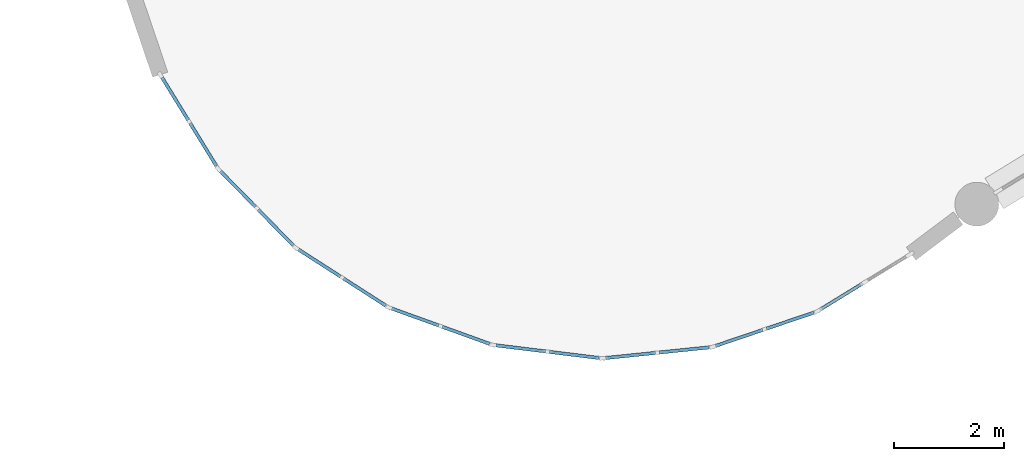
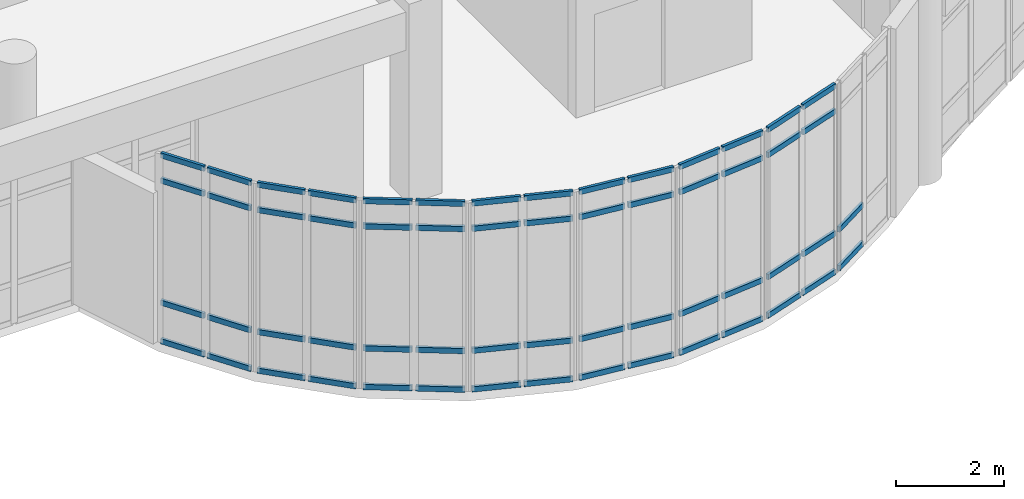
# One storey, part 28 of 57: 58 members, 8 elements without a shape of their own.
"""IFC4 building model written with IfcOpenShell, lengths in metres."""

from ifc_helpers import new_model, si_unit, direction, frame, origin, origin_2d, place, context, subcontext, project, spatial, rectangle, extrude, material, layer, layer_set, material_profile, profile_set, type_object, element, aggregate, save


model = new_model("IFC4")

# Units and contexts
model_context = context("Model", 3, precision=1e-05, world=origin(), true_north=direction((0.0, 1.0)))
body_context = subcontext(model_context, "Body", "Model", "MODEL_VIEW")
ifc_project = project(units=[si_unit("LENGTHUNIT", "METRE"), si_unit("AREAUNIT", "SQUARE_METRE"), si_unit("VOLUMEUNIT", "CUBIC_METRE"), si_unit("PLANEANGLEUNIT", "RADIAN"), si_unit("MASSUNIT", "GRAM", prefix="KILO")], contexts=[model_context])

# Site, building, storey
site_placement = place(None, origin())
site = spatial("IfcSite", under=ifc_project, at=site_placement, CompositionType="ELEMENT")
building_placement = place(site_placement, origin())
building = spatial("IfcBuilding", under=site, at=building_placement, Name="Miralva Faculty of Natural Sciences", CompositionType="ELEMENT")
storey_placement = place(building_placement, frame((0.0, 0.0, 15.0)))
storey = spatial("IfcBuildingStorey", under=building, at=storey_placement, Name="L03", CompositionType="ELEMENT", Elevation=15.0)

# Curtain wall, members
ifc_material_1 = material(Name="Laminated solar-control glass", Category="glass")
ifc_layer = layer(ifc_material_1, 0.179931640625, Name="CW-RND-L03")
ifc_layer_set = layer_set([ifc_layer], Name="Laminated solar-control glass")
curtain_wall_type = type_object("IfcCurtainWallType", Name="CW-RND-L03", PredefinedType="USERDEFINED", material=ifc_layer_set)
curtain_wall_1_placement = place(storey_placement, origin())
curtain_wall_1 = element("IfcCurtainWall", 1, at=curtain_wall_1_placement, inside=storey, type_object=curtain_wall_type, Name="Curtain wall CW-06 L03-141", ObjectType="UNITISED CURTAIN WALL", PredefinedType="USERDEFINED")
ifc_material_2 = material(Name="Anodised aluminium", Category="aluminium")
ifc_material_profile = material_profile(ifc_material_2, rectangle(XDim=0.06005859375, YDim=0.1201171875, at=origin_2d()), Name="TRANSOM 60x120")
ifc_profile_set = profile_set([ifc_material_profile], Name="Anodised aluminium")
member_type = type_object("IfcMemberType", Name="CW-T02", PredefinedType="USERDEFINED", material=ifc_profile_set)
member_1_placement = place(storey_placement, frame((61.864990234375, 11.86328125, 0.030029296875), z_axis=(0.852016327326, 0.52351521274, 0.0), x_axis=(-0.52351521274, 0.852016327326, 0.0)))
member_1 = element("IfcMember", 2, at=member_1_placement, type_object=member_type, Name="CW-06 transom 1.1", ObjectType="TRANSOM", PredefinedType="USERDEFINED", context=body_context, shape_type="SweptSolid", body=[
    extrude(rectangle(XDim=0.06005859375, YDim=0.1201171875, at=origin_2d()), origin(), (0.0, 0.0, 1.0), 0.91259765625),
])
member_2_placement = place(storey_placement, frame((61.864990234375, 11.86328125, 0.89990234375), z_axis=(0.852016327326, 0.52351521274, 0.0), x_axis=(-0.52351521274, 0.852016327326, 0.0)))
member_2 = element("IfcMember", 3, at=member_2_placement, type_object=member_type, Name="CW-06 transom 1.2", ObjectType="TRANSOM", PredefinedType="USERDEFINED", context=body_context, shape_type="SweptSolid", body=[
    extrude(rectangle(XDim=0.06005859375, YDim=0.1201171875, at=origin_2d()), origin(), (0.0, 0.0, 1.0), 0.91259765625),
])
aggregate(curtain_wall_1, [member_1, member_2])

curtain_wall_2_placement = place(storey_placement, origin())
curtain_wall_2 = element("IfcCurtainWall", 4, at=curtain_wall_2_placement, inside=storey, type_object=curtain_wall_type, Name="Curtain wall CW-06 L03-142", ObjectType="UNITISED CURTAIN WALL", PredefinedType="USERDEFINED")
member_3_placement = place(storey_placement, frame((59.962158203125, 11.20361328125, 0.030029296875), z_axis=(0.947174722358, 0.32071801528, 0.0), x_axis=(-0.32071801528, 0.947174722358, 0.0)))
member_3 = element("IfcMember", 5, at=member_3_placement, type_object=member_type, Name="CW-06 transom 1.1", ObjectType="TRANSOM", PredefinedType="USERDEFINED", context=body_context, shape_type="SweptSolid", body=[
    extrude(rectangle(XDim=0.06005859375, YDim=0.1201171875, at=origin_2d()), origin(), (0.0, 0.0, 1.0), 0.91259765625),
])
member_4_placement = place(storey_placement, frame((59.962158203125, 11.20361328125, 0.89990234375), z_axis=(0.947174722358, 0.32071801528, 0.0), x_axis=(-0.32071801528, 0.947174722358, 0.0)))
member_4 = element("IfcMember", 6, at=member_4_placement, type_object=member_type, Name="CW-06 transom 1.2", ObjectType="TRANSOM", PredefinedType="USERDEFINED", context=body_context, shape_type="SweptSolid", body=[
    extrude(rectangle(XDim=0.06005859375, YDim=0.1201171875, at=origin_2d()), origin(), (0.0, 0.0, 1.0), 0.91259765625),
])
member_5_placement = place(storey_placement, frame((59.962158203125, 11.20361328125, 3.64990234375), z_axis=(0.947174722358, 0.32071801528, 0.0), x_axis=(-0.32071801528, 0.947174722358, 0.0)))
member_5 = element("IfcMember", 7, at=member_5_placement, type_object=member_type, Name="CW-06 transom 1.3", ObjectType="TRANSOM", PredefinedType="USERDEFINED", context=body_context, shape_type="SweptSolid", body=[
    extrude(rectangle(XDim=0.06005859375, YDim=0.1201171875, at=origin_2d()), origin(), (0.0, 0.0, 1.0), 0.91259765625),
])
member_6_placement = place(storey_placement, frame((59.962158203125, 11.20361328125, 4.219970703125), z_axis=(0.947174722358, 0.32071801528, 0.0), x_axis=(-0.32071801528, 0.947174722358, 0.0)))
member_6 = element("IfcMember", 8, at=member_6_placement, type_object=member_type, Name="CW-06 transom 1.4", ObjectType="TRANSOM", PredefinedType="USERDEFINED", context=body_context, shape_type="SweptSolid", body=[
    extrude(rectangle(XDim=0.06005859375, YDim=0.1201171875, at=origin_2d()), origin(), (0.0, 0.0, 1.0), 0.91259765625),
])
member_7_placement = place(storey_placement, frame((60.88818359375, 11.517333984375, 0.030029296875), z_axis=(0.947174722358, 0.32071801528, 0.0), x_axis=(-0.32071801528, 0.947174722358, 0.0)))
member_7 = element("IfcMember", 9, at=member_7_placement, type_object=member_type, Name="CW-06 transom 2.1", ObjectType="TRANSOM", PredefinedType="USERDEFINED", context=body_context, shape_type="SweptSolid", body=[
    extrude(rectangle(XDim=0.06005859375, YDim=0.1201171875, at=origin_2d()), origin(), (0.0, 0.0, 1.0), 0.91259765625),
])
member_8_placement = place(storey_placement, frame((60.88818359375, 11.517333984375, 0.89990234375), z_axis=(0.947174722358, 0.32071801528, 0.0), x_axis=(-0.32071801528, 0.947174722358, 0.0)))
member_8 = element("IfcMember", 10, at=member_8_placement, type_object=member_type, Name="CW-06 transom 2.2", ObjectType="TRANSOM", PredefinedType="USERDEFINED", context=body_context, shape_type="SweptSolid", body=[
    extrude(rectangle(XDim=0.06005859375, YDim=0.1201171875, at=origin_2d()), origin(), (0.0, 0.0, 1.0), 0.91259765625),
])
member_9_placement = place(storey_placement, frame((60.88818359375, 11.517333984375, 3.64990234375), z_axis=(0.947174722358, 0.32071801528, 0.0), x_axis=(-0.32071801528, 0.947174722358, 0.0)))
member_9 = element("IfcMember", 11, at=member_9_placement, type_object=member_type, Name="CW-06 transom 2.3", ObjectType="TRANSOM", PredefinedType="USERDEFINED", context=body_context, shape_type="SweptSolid", body=[
    extrude(rectangle(XDim=0.06005859375, YDim=0.1201171875, at=origin_2d()), origin(), (0.0, 0.0, 1.0), 0.91259765625),
])
member_10_placement = place(storey_placement, frame((60.88818359375, 11.517333984375, 4.219970703125), z_axis=(0.947174722358, 0.32071801528, 0.0), x_axis=(-0.32071801528, 0.947174722358, 0.0)))
member_10 = element("IfcMember", 12, at=member_10_placement, type_object=member_type, Name="CW-06 transom 2.4", ObjectType="TRANSOM", PredefinedType="USERDEFINED", context=body_context, shape_type="SweptSolid", body=[
    extrude(rectangle(XDim=0.06005859375, YDim=0.1201171875, at=origin_2d()), origin(), (0.0, 0.0, 1.0), 0.91259765625),
])
aggregate(curtain_wall_2, [member_3, member_4, member_5, member_6, member_7, member_8, member_9, member_10])

curtain_wall_3_placement = place(storey_placement, origin())
curtain_wall_3 = element("IfcCurtainWall", 13, at=curtain_wall_3_placement, inside=storey, type_object=curtain_wall_type, Name="Curtain wall CW-06 L03-143", ObjectType="UNITISED CURTAIN WALL", PredefinedType="USERDEFINED")
member_11_placement = place(storey_placement, frame((57.96044921875, 10.983642578125, 0.030029296875), z_axis=(0.994766112877, 0.102178180995, 0.0), x_axis=(-0.102178180995, 0.994766112877, 0.0)))
member_11 = element("IfcMember", 14, at=member_11_placement, type_object=member_type, Name="CW-06 transom 1.1", ObjectType="TRANSOM", PredefinedType="USERDEFINED", context=body_context, shape_type="SweptSolid", body=[
    extrude(rectangle(XDim=0.06005859375, YDim=0.1201171875, at=origin_2d()), origin(), (0.0, 0.0, 1.0), 0.912841796875),
])
member_12_placement = place(storey_placement, frame((57.96044921875, 10.983642578125, 0.89990234375), z_axis=(0.994766112877, 0.102178180995, 0.0), x_axis=(-0.102178180995, 0.994766112877, 0.0)))
member_12 = element("IfcMember", 15, at=member_12_placement, type_object=member_type, Name="CW-06 transom 1.2", ObjectType="TRANSOM", PredefinedType="USERDEFINED", context=body_context, shape_type="SweptSolid", body=[
    extrude(rectangle(XDim=0.06005859375, YDim=0.1201171875, at=origin_2d()), origin(), (0.0, 0.0, 1.0), 0.912841796875),
])
member_13_placement = place(storey_placement, frame((57.96044921875, 10.983642578125, 3.64990234375), z_axis=(0.994766112877, 0.102178180995, 0.0), x_axis=(-0.102178180995, 0.994766112877, 0.0)))
member_13 = element("IfcMember", 16, at=member_13_placement, type_object=member_type, Name="CW-06 transom 1.3", ObjectType="TRANSOM", PredefinedType="USERDEFINED", context=body_context, shape_type="SweptSolid", body=[
    extrude(rectangle(XDim=0.06005859375, YDim=0.1201171875, at=origin_2d()), origin(), (0.0, 0.0, 1.0), 0.912841796875),
])
member_14_placement = place(storey_placement, frame((57.96044921875, 10.983642578125, 4.219970703125), z_axis=(0.994766112877, 0.102178180995, 0.0), x_axis=(-0.102178180995, 0.994766112877, 0.0)))
member_14 = element("IfcMember", 17, at=member_14_placement, type_object=member_type, Name="CW-06 transom 1.4", ObjectType="TRANSOM", PredefinedType="USERDEFINED", context=body_context, shape_type="SweptSolid", body=[
    extrude(rectangle(XDim=0.06005859375, YDim=0.1201171875, at=origin_2d()), origin(), (0.0, 0.0, 1.0), 0.912841796875),
])
member_15_placement = place(storey_placement, frame((58.93310546875, 11.08349609375, 0.030029296875), z_axis=(0.994793266196, 0.101913480619, 0.0), x_axis=(-0.101913480619, 0.994793266196, 0.0)))
member_15 = element("IfcMember", 18, at=member_15_placement, type_object=member_type, Name="CW-06 transom 2.1", ObjectType="TRANSOM", PredefinedType="USERDEFINED", context=body_context, shape_type="SweptSolid", body=[
    extrude(rectangle(XDim=0.06005859375, YDim=0.1201171875, at=origin_2d()), origin(), (0.0, 0.0, 1.0), 0.91259765625),
])
member_16_placement = place(storey_placement, frame((58.93310546875, 11.08349609375, 0.89990234375), z_axis=(0.994793266196, 0.101913480619, 0.0), x_axis=(-0.101913480619, 0.994793266196, 0.0)))
member_16 = element("IfcMember", 19, at=member_16_placement, type_object=member_type, Name="CW-06 transom 2.2", ObjectType="TRANSOM", PredefinedType="USERDEFINED", context=body_context, shape_type="SweptSolid", body=[
    extrude(rectangle(XDim=0.06005859375, YDim=0.1201171875, at=origin_2d()), origin(), (0.0, 0.0, 1.0), 0.91259765625),
])
member_17_placement = place(storey_placement, frame((58.93310546875, 11.08349609375, 3.64990234375), z_axis=(0.994793266196, 0.101913480619, 0.0), x_axis=(-0.101913480619, 0.994793266196, 0.0)))
member_17 = element("IfcMember", 20, at=member_17_placement, type_object=member_type, Name="CW-06 transom 2.3", ObjectType="TRANSOM", PredefinedType="USERDEFINED", context=body_context, shape_type="SweptSolid", body=[
    extrude(rectangle(XDim=0.06005859375, YDim=0.1201171875, at=origin_2d()), origin(), (0.0, 0.0, 1.0), 0.91259765625),
])
member_18_placement = place(storey_placement, frame((58.93310546875, 11.08349609375, 4.219970703125), z_axis=(0.994793266196, 0.101913480619, 0.0), x_axis=(-0.101913480619, 0.994793266196, 0.0)))
member_18 = element("IfcMember", 21, at=member_18_placement, type_object=member_type, Name="CW-06 transom 2.4", ObjectType="TRANSOM", PredefinedType="USERDEFINED", context=body_context, shape_type="SweptSolid", body=[
    extrude(rectangle(XDim=0.06005859375, YDim=0.1201171875, at=origin_2d()), origin(), (0.0, 0.0, 1.0), 0.91259765625),
])
aggregate(curtain_wall_3, [member_11, member_12, member_13, member_14, member_15, member_16, member_17, member_18])

curtain_wall_4_placement = place(storey_placement, origin())
curtain_wall_4 = element("IfcCurtainWall", 22, at=curtain_wall_4_placement, inside=storey, type_object=curtain_wall_type, Name="Curtain wall CW-06 L03-144", ObjectType="UNITISED CURTAIN WALL", PredefinedType="USERDEFINED")
member_19_placement = place(storey_placement, frame((55.9599609375, 11.214599609375, 0.030029296875), z_axis=(0.99256727955, -0.121697146913, 0.0), x_axis=(0.121697146913, 0.99256727955, 0.0)))
member_19 = element("IfcMember", 23, at=member_19_placement, type_object=member_type, Name="CW-06 transom 1.1", ObjectType="TRANSOM", PredefinedType="USERDEFINED", context=body_context, shape_type="SweptSolid", body=[
    extrude(rectangle(XDim=0.06005859375, YDim=0.1201171875, at=origin_2d()), origin(), (0.0, 0.0, 1.0), 0.912841796875),
])
member_20_placement = place(storey_placement, frame((55.9599609375, 11.214599609375, 0.89990234375), z_axis=(0.99256727955, -0.121697146913, 0.0), x_axis=(0.121697146913, 0.99256727955, 0.0)))
member_20 = element("IfcMember", 24, at=member_20_placement, type_object=member_type, Name="CW-06 transom 1.2", ObjectType="TRANSOM", PredefinedType="USERDEFINED", context=body_context, shape_type="SweptSolid", body=[
    extrude(rectangle(XDim=0.06005859375, YDim=0.1201171875, at=origin_2d()), origin(), (0.0, 0.0, 1.0), 0.912841796875),
])
member_21_placement = place(storey_placement, frame((55.9599609375, 11.214599609375, 3.64990234375), z_axis=(0.99256727955, -0.121697146913, 0.0), x_axis=(0.121697146913, 0.99256727955, 0.0)))
member_21 = element("IfcMember", 25, at=member_21_placement, type_object=member_type, Name="CW-06 transom 1.3", ObjectType="TRANSOM", PredefinedType="USERDEFINED", context=body_context, shape_type="SweptSolid", body=[
    extrude(rectangle(XDim=0.06005859375, YDim=0.1201171875, at=origin_2d()), origin(), (0.0, 0.0, 1.0), 0.912841796875),
])
member_22_placement = place(storey_placement, frame((55.9599609375, 11.214599609375, 4.219970703125), z_axis=(0.99256727955, -0.121697146913, 0.0), x_axis=(0.121697146913, 0.99256727955, 0.0)))
member_22 = element("IfcMember", 26, at=member_22_placement, type_object=member_type, Name="CW-06 transom 1.4", ObjectType="TRANSOM", PredefinedType="USERDEFINED", context=body_context, shape_type="SweptSolid", body=[
    extrude(rectangle(XDim=0.06005859375, YDim=0.1201171875, at=origin_2d()), origin(), (0.0, 0.0, 1.0), 0.912841796875),
])
member_23_placement = place(storey_placement, frame((56.930419921875, 11.095458984375, 0.030029296875), z_axis=(0.992563316744, -0.121729463374, 0.0), x_axis=(0.121729463374, 0.992563316744, 0.0)))
member_23 = element("IfcMember", 27, at=member_23_placement, type_object=member_type, Name="CW-06 transom 2.1", ObjectType="TRANSOM", PredefinedType="USERDEFINED", context=body_context, shape_type="SweptSolid", body=[
    extrude(rectangle(XDim=0.06005859375, YDim=0.1201171875, at=origin_2d()), origin(), (0.0, 0.0, 1.0), 0.91259765625),
])
member_24_placement = place(storey_placement, frame((56.930419921875, 11.095458984375, 0.89990234375), z_axis=(0.992563316744, -0.121729463374, 0.0), x_axis=(0.121729463374, 0.992563316744, 0.0)))
member_24 = element("IfcMember", 28, at=member_24_placement, type_object=member_type, Name="CW-06 transom 2.2", ObjectType="TRANSOM", PredefinedType="USERDEFINED", context=body_context, shape_type="SweptSolid", body=[
    extrude(rectangle(XDim=0.06005859375, YDim=0.1201171875, at=origin_2d()), origin(), (0.0, 0.0, 1.0), 0.91259765625),
])
member_25_placement = place(storey_placement, frame((56.930419921875, 11.095458984375, 3.64990234375), z_axis=(0.992563316744, -0.121729463374, 0.0), x_axis=(0.121729463374, 0.992563316744, 0.0)))
member_25 = element("IfcMember", 29, at=member_25_placement, type_object=member_type, Name="CW-06 transom 2.3", ObjectType="TRANSOM", PredefinedType="USERDEFINED", context=body_context, shape_type="SweptSolid", body=[
    extrude(rectangle(XDim=0.06005859375, YDim=0.1201171875, at=origin_2d()), origin(), (0.0, 0.0, 1.0), 0.91259765625),
])
member_26_placement = place(storey_placement, frame((56.930419921875, 11.095458984375, 4.219970703125), z_axis=(0.992563316744, -0.121729463374, 0.0), x_axis=(0.121729463374, 0.992563316744, 0.0)))
member_26 = element("IfcMember", 30, at=member_26_placement, type_object=member_type, Name="CW-06 transom 2.4", ObjectType="TRANSOM", PredefinedType="USERDEFINED", context=body_context, shape_type="SweptSolid", body=[
    extrude(rectangle(XDim=0.06005859375, YDim=0.1201171875, at=origin_2d()), origin(), (0.0, 0.0, 1.0), 0.91259765625),
])
aggregate(curtain_wall_4, [member_19, member_20, member_21, member_22, member_23, member_24, member_25, member_26])

curtain_wall_5_placement = place(storey_placement, origin())
curtain_wall_5 = element("IfcCurtainWall", 31, at=curtain_wall_5_placement, inside=storey, type_object=curtain_wall_type, Name="Curtain wall CW-06 L03-145", ObjectType="UNITISED CURTAIN WALL", PredefinedType="USERDEFINED")
member_27_placement = place(storey_placement, frame((54.06103515625, 11.885009765625, 0.030029296875), z_axis=(0.94061086064, -0.339486684344, 0.0), x_axis=(0.339486684344, 0.94061086064, 0.0)))
member_27 = element("IfcMember", 32, at=member_27_placement, type_object=member_type, Name="CW-06 transom 1.1", ObjectType="TRANSOM", PredefinedType="USERDEFINED", context=body_context, shape_type="SweptSolid", body=[
    extrude(rectangle(XDim=0.06005859375, YDim=0.1201171875, at=origin_2d()), origin(), (0.0, 0.0, 1.0), 0.91259765625),
])
member_28_placement = place(storey_placement, frame((54.06103515625, 11.885009765625, 0.89990234375), z_axis=(0.94061086064, -0.339486684344, 0.0), x_axis=(0.339486684344, 0.94061086064, 0.0)))
member_28 = element("IfcMember", 33, at=member_28_placement, type_object=member_type, Name="CW-06 transom 1.2", ObjectType="TRANSOM", PredefinedType="USERDEFINED", context=body_context, shape_type="SweptSolid", body=[
    extrude(rectangle(XDim=0.06005859375, YDim=0.1201171875, at=origin_2d()), origin(), (0.0, 0.0, 1.0), 0.91259765625),
])
member_29_placement = place(storey_placement, frame((54.06103515625, 11.885009765625, 3.64990234375), z_axis=(0.94061086064, -0.339486684344, 0.0), x_axis=(0.339486684344, 0.94061086064, 0.0)))
member_29 = element("IfcMember", 34, at=member_29_placement, type_object=member_type, Name="CW-06 transom 1.3", ObjectType="TRANSOM", PredefinedType="USERDEFINED", context=body_context, shape_type="SweptSolid", body=[
    extrude(rectangle(XDim=0.06005859375, YDim=0.1201171875, at=origin_2d()), origin(), (0.0, 0.0, 1.0), 0.91259765625),
])
member_30_placement = place(storey_placement, frame((54.06103515625, 11.885009765625, 4.219970703125), z_axis=(0.94061086064, -0.339486684344, 0.0), x_axis=(0.339486684344, 0.94061086064, 0.0)))
member_30 = element("IfcMember", 35, at=member_30_placement, type_object=member_type, Name="CW-06 transom 1.4", ObjectType="TRANSOM", PredefinedType="USERDEFINED", context=body_context, shape_type="SweptSolid", body=[
    extrude(rectangle(XDim=0.06005859375, YDim=0.1201171875, at=origin_2d()), origin(), (0.0, 0.0, 1.0), 0.91259765625),
])
member_31_placement = place(storey_placement, frame((54.980712890625, 11.552978515625, 0.030029296875), z_axis=(0.940525411881, -0.339723342744, 0.0), x_axis=(0.339723342744, 0.940525411881, 0.0)))
member_31 = element("IfcMember", 36, at=member_31_placement, type_object=member_type, Name="CW-06 transom 2.1", ObjectType="TRANSOM", PredefinedType="USERDEFINED", context=body_context, shape_type="SweptSolid", body=[
    extrude(rectangle(XDim=0.06005859375, YDim=0.1201171875, at=origin_2d()), origin(), (0.0, 0.0, 1.0), 0.91259765625),
])
member_32_placement = place(storey_placement, frame((54.980712890625, 11.552978515625, 0.89990234375), z_axis=(0.940525411881, -0.339723342744, 0.0), x_axis=(0.339723342744, 0.940525411881, 0.0)))
member_32 = element("IfcMember", 37, at=member_32_placement, type_object=member_type, Name="CW-06 transom 2.2", ObjectType="TRANSOM", PredefinedType="USERDEFINED", context=body_context, shape_type="SweptSolid", body=[
    extrude(rectangle(XDim=0.06005859375, YDim=0.1201171875, at=origin_2d()), origin(), (0.0, 0.0, 1.0), 0.91259765625),
])
member_33_placement = place(storey_placement, frame((54.980712890625, 11.552978515625, 3.64990234375), z_axis=(0.940525411881, -0.339723342744, 0.0), x_axis=(0.339723342744, 0.940525411881, 0.0)))
member_33 = element("IfcMember", 38, at=member_33_placement, type_object=member_type, Name="CW-06 transom 2.3", ObjectType="TRANSOM", PredefinedType="USERDEFINED", context=body_context, shape_type="SweptSolid", body=[
    extrude(rectangle(XDim=0.06005859375, YDim=0.1201171875, at=origin_2d()), origin(), (0.0, 0.0, 1.0), 0.91259765625),
])
member_34_placement = place(storey_placement, frame((54.980712890625, 11.552978515625, 4.219970703125), z_axis=(0.940525411881, -0.339723342744, 0.0), x_axis=(0.339723342744, 0.940525411881, 0.0)))
member_34 = element("IfcMember", 39, at=member_34_placement, type_object=member_type, Name="CW-06 transom 2.4", ObjectType="TRANSOM", PredefinedType="USERDEFINED", context=body_context, shape_type="SweptSolid", body=[
    extrude(rectangle(XDim=0.06005859375, YDim=0.1201171875, at=origin_2d()), origin(), (0.0, 0.0, 1.0), 0.91259765625),
])
aggregate(curtain_wall_5, [member_27, member_28, member_29, member_30, member_31, member_32, member_33, member_34])

curtain_wall_6_placement = place(storey_placement, origin())
curtain_wall_6 = element("IfcCurtainWall", 40, at=curtain_wall_6_placement, inside=storey, type_object=curtain_wall_type, Name="Curtain wall CW-06 L03-146", ObjectType="UNITISED CURTAIN WALL", PredefinedType="USERDEFINED")
member_35_placement = place(storey_placement, frame((52.35888671875, 12.961181640625, 0.030029296875), z_axis=(0.841473826714, -0.540297879836, 0.0), x_axis=(0.540297879836, 0.841473826714, 0.0)))
member_35 = element("IfcMember", 41, at=member_35_placement, type_object=member_type, Name="CW-06 transom 1.1", ObjectType="TRANSOM", PredefinedType="USERDEFINED", context=body_context, shape_type="SweptSolid", body=[
    extrude(rectangle(XDim=0.06005859375, YDim=0.1201171875, at=origin_2d()), origin(), (0.0, 0.0, 1.0), 0.912841796875),
])
member_36_placement = place(storey_placement, frame((52.35888671875, 12.961181640625, 0.89990234375), z_axis=(0.841473826714, -0.540297879836, 0.0), x_axis=(0.540297879836, 0.841473826714, 0.0)))
member_36 = element("IfcMember", 42, at=member_36_placement, type_object=member_type, Name="CW-06 transom 1.2", ObjectType="TRANSOM", PredefinedType="USERDEFINED", context=body_context, shape_type="SweptSolid", body=[
    extrude(rectangle(XDim=0.06005859375, YDim=0.1201171875, at=origin_2d()), origin(), (0.0, 0.0, 1.0), 0.912841796875),
])
member_37_placement = place(storey_placement, frame((52.35888671875, 12.961181640625, 3.64990234375), z_axis=(0.841473826714, -0.540297879836, 0.0), x_axis=(0.540297879836, 0.841473826714, 0.0)))
member_37 = element("IfcMember", 43, at=member_37_placement, type_object=member_type, Name="CW-06 transom 1.3", ObjectType="TRANSOM", PredefinedType="USERDEFINED", context=body_context, shape_type="SweptSolid", body=[
    extrude(rectangle(XDim=0.06005859375, YDim=0.1201171875, at=origin_2d()), origin(), (0.0, 0.0, 1.0), 0.912841796875),
])
member_38_placement = place(storey_placement, frame((52.35888671875, 12.961181640625, 4.219970703125), z_axis=(0.841473826714, -0.540297879836, 0.0), x_axis=(0.540297879836, 0.841473826714, 0.0)))
member_38 = element("IfcMember", 44, at=member_38_placement, type_object=member_type, Name="CW-06 transom 1.4", ObjectType="TRANSOM", PredefinedType="USERDEFINED", context=body_context, shape_type="SweptSolid", body=[
    extrude(rectangle(XDim=0.06005859375, YDim=0.1201171875, at=origin_2d()), origin(), (0.0, 0.0, 1.0), 0.912841796875),
])
member_39_placement = place(storey_placement, frame((53.181640625, 12.432861328125, 0.030029296875), z_axis=(0.841395718797, -0.540419507781, 0.0), x_axis=(0.540419507781, 0.841395718797, 0.0)))
member_39 = element("IfcMember", 45, at=member_39_placement, type_object=member_type, Name="CW-06 transom 2.1", ObjectType="TRANSOM", PredefinedType="USERDEFINED", context=body_context, shape_type="SweptSolid", body=[
    extrude(rectangle(XDim=0.06005859375, YDim=0.1201171875, at=origin_2d()), origin(), (0.0, 0.0, 1.0), 0.91259765625),
])
member_40_placement = place(storey_placement, frame((53.181640625, 12.432861328125, 0.89990234375), z_axis=(0.841395718797, -0.540419507781, 0.0), x_axis=(0.540419507781, 0.841395718797, 0.0)))
member_40 = element("IfcMember", 46, at=member_40_placement, type_object=member_type, Name="CW-06 transom 2.2", ObjectType="TRANSOM", PredefinedType="USERDEFINED", context=body_context, shape_type="SweptSolid", body=[
    extrude(rectangle(XDim=0.06005859375, YDim=0.1201171875, at=origin_2d()), origin(), (0.0, 0.0, 1.0), 0.91259765625),
])
member_41_placement = place(storey_placement, frame((53.181640625, 12.432861328125, 3.64990234375), z_axis=(0.841395718797, -0.540419507781, 0.0), x_axis=(0.540419507781, 0.841395718797, 0.0)))
member_41 = element("IfcMember", 47, at=member_41_placement, type_object=member_type, Name="CW-06 transom 2.3", ObjectType="TRANSOM", PredefinedType="USERDEFINED", context=body_context, shape_type="SweptSolid", body=[
    extrude(rectangle(XDim=0.06005859375, YDim=0.1201171875, at=origin_2d()), origin(), (0.0, 0.0, 1.0), 0.91259765625),
])
member_42_placement = place(storey_placement, frame((53.181640625, 12.432861328125, 4.219970703125), z_axis=(0.841395718797, -0.540419507781, 0.0), x_axis=(0.540419507781, 0.841395718797, 0.0)))
member_42 = element("IfcMember", 48, at=member_42_placement, type_object=member_type, Name="CW-06 transom 2.4", ObjectType="TRANSOM", PredefinedType="USERDEFINED", context=body_context, shape_type="SweptSolid", body=[
    extrude(rectangle(XDim=0.06005859375, YDim=0.1201171875, at=origin_2d()), origin(), (0.0, 0.0, 1.0), 0.91259765625),
])
aggregate(curtain_wall_6, [member_35, member_36, member_37, member_38, member_39, member_40, member_41, member_42])

curtain_wall_7_placement = place(storey_placement, origin())
curtain_wall_7 = element("IfcCurtainWall", 49, at=curtain_wall_7_placement, inside=storey, type_object=curtain_wall_type, Name="Curtain wall CW-06 L03-147", ObjectType="UNITISED CURTAIN WALL", PredefinedType="USERDEFINED")
member_43_placement = place(storey_placement, frame((50.93896484375, 14.38916015625, 0.030029296875), z_axis=(0.699983155997, -0.71415935289, 0.0), x_axis=(0.71415935289, 0.699983155997, 0.0)))
member_43 = element("IfcMember", 50, at=member_43_placement, type_object=member_type, Name="CW-06 transom 1.1", ObjectType="TRANSOM", PredefinedType="USERDEFINED", context=body_context, shape_type="SweptSolid", body=[
    extrude(rectangle(XDim=0.06005859375, YDim=0.1201171875, at=origin_2d()), origin(), (0.0, 0.0, 1.0), 0.912841796875),
])
member_44_placement = place(storey_placement, frame((50.93896484375, 14.38916015625, 0.89990234375), z_axis=(0.699983155997, -0.71415935289, 0.0), x_axis=(0.71415935289, 0.699983155997, 0.0)))
member_44 = element("IfcMember", 51, at=member_44_placement, type_object=member_type, Name="CW-06 transom 1.2", ObjectType="TRANSOM", PredefinedType="USERDEFINED", context=body_context, shape_type="SweptSolid", body=[
    extrude(rectangle(XDim=0.06005859375, YDim=0.1201171875, at=origin_2d()), origin(), (0.0, 0.0, 1.0), 0.912841796875),
])
member_45_placement = place(storey_placement, frame((50.93896484375, 14.38916015625, 3.64990234375), z_axis=(0.699983155997, -0.71415935289, 0.0), x_axis=(0.71415935289, 0.699983155997, 0.0)))
member_45 = element("IfcMember", 52, at=member_45_placement, type_object=member_type, Name="CW-06 transom 1.3", ObjectType="TRANSOM", PredefinedType="USERDEFINED", context=body_context, shape_type="SweptSolid", body=[
    extrude(rectangle(XDim=0.06005859375, YDim=0.1201171875, at=origin_2d()), origin(), (0.0, 0.0, 1.0), 0.912841796875),
])
member_46_placement = place(storey_placement, frame((50.93896484375, 14.38916015625, 4.219970703125), z_axis=(0.699983155997, -0.71415935289, 0.0), x_axis=(0.71415935289, 0.699983155997, 0.0)))
member_46 = element("IfcMember", 53, at=member_46_placement, type_object=member_type, Name="CW-06 transom 1.4", ObjectType="TRANSOM", PredefinedType="USERDEFINED", context=body_context, shape_type="SweptSolid", body=[
    extrude(rectangle(XDim=0.06005859375, YDim=0.1201171875, at=origin_2d()), origin(), (0.0, 0.0, 1.0), 0.912841796875),
])
member_47_placement = place(storey_placement, frame((51.623291015625, 13.69091796875, 0.030029296875), z_axis=(0.700116880098, -0.714028258686, 0.0), x_axis=(0.714028258686, 0.700116880098, 0.0)))
member_47 = element("IfcMember", 54, at=member_47_placement, type_object=member_type, Name="CW-06 transom 2.1", ObjectType="TRANSOM", PredefinedType="USERDEFINED", context=body_context, shape_type="SweptSolid", body=[
    extrude(rectangle(XDim=0.06005859375, YDim=0.1201171875, at=origin_2d()), origin(), (0.0, 0.0, 1.0), 0.91259765625),
])
member_48_placement = place(storey_placement, frame((51.623291015625, 13.69091796875, 0.89990234375), z_axis=(0.700116880098, -0.714028258686, 0.0), x_axis=(0.714028258686, 0.700116880098, 0.0)))
member_48 = element("IfcMember", 55, at=member_48_placement, type_object=member_type, Name="CW-06 transom 2.2", ObjectType="TRANSOM", PredefinedType="USERDEFINED", context=body_context, shape_type="SweptSolid", body=[
    extrude(rectangle(XDim=0.06005859375, YDim=0.1201171875, at=origin_2d()), origin(), (0.0, 0.0, 1.0), 0.91259765625),
])
member_49_placement = place(storey_placement, frame((51.623291015625, 13.69091796875, 3.64990234375), z_axis=(0.700116880098, -0.714028258686, 0.0), x_axis=(0.714028258686, 0.700116880098, 0.0)))
member_49 = element("IfcMember", 56, at=member_49_placement, type_object=member_type, Name="CW-06 transom 2.3", ObjectType="TRANSOM", PredefinedType="USERDEFINED", context=body_context, shape_type="SweptSolid", body=[
    extrude(rectangle(XDim=0.06005859375, YDim=0.1201171875, at=origin_2d()), origin(), (0.0, 0.0, 1.0), 0.91259765625),
])
member_50_placement = place(storey_placement, frame((51.623291015625, 13.69091796875, 4.219970703125), z_axis=(0.700116880098, -0.714028258686, 0.0), x_axis=(0.714028258686, 0.700116880098, 0.0)))
member_50 = element("IfcMember", 57, at=member_50_placement, type_object=member_type, Name="CW-06 transom 2.4", ObjectType="TRANSOM", PredefinedType="USERDEFINED", context=body_context, shape_type="SweptSolid", body=[
    extrude(rectangle(XDim=0.06005859375, YDim=0.1201171875, at=origin_2d()), origin(), (0.0, 0.0, 1.0), 0.91259765625),
])
aggregate(curtain_wall_7, [member_43, member_44, member_45, member_46, member_47, member_48, member_49, member_50])

curtain_wall_8_placement = place(storey_placement, origin())
curtain_wall_8 = element("IfcCurtainWall", 58, at=curtain_wall_8_placement, inside=storey, type_object=curtain_wall_type, Name="Curtain wall CW-06 L03-148", ObjectType="UNITISED CURTAIN WALL", PredefinedType="USERDEFINED")
member_51_placement = place(storey_placement, frame((49.872314453125, 16.097412109375, 0.030029296875), z_axis=(0.523395914124, -0.852089617986, 0.0), x_axis=(0.852089617986, 0.523395914124, 0.0)))
member_51 = element("IfcMember", 59, at=member_51_placement, type_object=member_type, Name="CW-06 transom 1.1", ObjectType="TRANSOM", PredefinedType="USERDEFINED", context=body_context, shape_type="SweptSolid", body=[
    extrude(rectangle(XDim=0.06005859375, YDim=0.1201171875, at=origin_2d()), origin(), (0.0, 0.0, 1.0), 0.912841796875),
])
member_52_placement = place(storey_placement, frame((49.872314453125, 16.097412109375, 0.89990234375), z_axis=(0.523395914124, -0.852089617986, 0.0), x_axis=(0.852089617986, 0.523395914124, 0.0)))
member_52 = element("IfcMember", 60, at=member_52_placement, type_object=member_type, Name="CW-06 transom 1.2", ObjectType="TRANSOM", PredefinedType="USERDEFINED", context=body_context, shape_type="SweptSolid", body=[
    extrude(rectangle(XDim=0.06005859375, YDim=0.1201171875, at=origin_2d()), origin(), (0.0, 0.0, 1.0), 0.912841796875),
])
member_53_placement = place(storey_placement, frame((49.872314453125, 16.097412109375, 3.64990234375), z_axis=(0.523395914124, -0.852089617986, 0.0), x_axis=(0.852089617986, 0.523395914124, 0.0)))
member_53 = element("IfcMember", 61, at=member_53_placement, type_object=member_type, Name="CW-06 transom 1.3", ObjectType="TRANSOM", PredefinedType="USERDEFINED", context=body_context, shape_type="SweptSolid", body=[
    extrude(rectangle(XDim=0.06005859375, YDim=0.1201171875, at=origin_2d()), origin(), (0.0, 0.0, 1.0), 0.912841796875),
])
member_54_placement = place(storey_placement, frame((49.872314453125, 16.097412109375, 4.219970703125), z_axis=(0.523395914124, -0.852089617986, 0.0), x_axis=(0.852089617986, 0.523395914124, 0.0)))
member_54 = element("IfcMember", 62, at=member_54_placement, type_object=member_type, Name="CW-06 transom 1.4", ObjectType="TRANSOM", PredefinedType="USERDEFINED", context=body_context, shape_type="SweptSolid", body=[
    extrude(rectangle(XDim=0.06005859375, YDim=0.1201171875, at=origin_2d()), origin(), (0.0, 0.0, 1.0), 0.912841796875),
])
member_55_placement = place(storey_placement, frame((50.38427734375, 15.264404296875, 0.030029296875), z_axis=(0.523395914124, -0.852089617986, 0.0), x_axis=(0.852089617986, 0.523395914124, 0.0)))
member_55 = element("IfcMember", 63, at=member_55_placement, type_object=member_type, Name="CW-06 transom 2.1", ObjectType="TRANSOM", PredefinedType="USERDEFINED", context=body_context, shape_type="SweptSolid", body=[
    extrude(rectangle(XDim=0.06005859375, YDim=0.1201171875, at=origin_2d()), origin(), (0.0, 0.0, 1.0), 0.912841796875),
])
member_56_placement = place(storey_placement, frame((50.38427734375, 15.264404296875, 0.89990234375), z_axis=(0.523395914124, -0.852089617986, 0.0), x_axis=(0.852089617986, 0.523395914124, 0.0)))
member_56 = element("IfcMember", 64, at=member_56_placement, type_object=member_type, Name="CW-06 transom 2.2", ObjectType="TRANSOM", PredefinedType="USERDEFINED", context=body_context, shape_type="SweptSolid", body=[
    extrude(rectangle(XDim=0.06005859375, YDim=0.1201171875, at=origin_2d()), origin(), (0.0, 0.0, 1.0), 0.912841796875),
])
member_57_placement = place(storey_placement, frame((50.38427734375, 15.264404296875, 3.64990234375), z_axis=(0.523395914124, -0.852089617986, 0.0), x_axis=(0.852089617986, 0.523395914124, 0.0)))
member_57 = element("IfcMember", 65, at=member_57_placement, type_object=member_type, Name="CW-06 transom 2.3", ObjectType="TRANSOM", PredefinedType="USERDEFINED", context=body_context, shape_type="SweptSolid", body=[
    extrude(rectangle(XDim=0.06005859375, YDim=0.1201171875, at=origin_2d()), origin(), (0.0, 0.0, 1.0), 0.912841796875),
])
member_58_placement = place(storey_placement, frame((50.38427734375, 15.264404296875, 4.219970703125), z_axis=(0.523395914124, -0.852089617986, 0.0), x_axis=(0.852089617986, 0.523395914124, 0.0)))
member_58 = element("IfcMember", 66, at=member_58_placement, type_object=member_type, Name="CW-06 transom 2.4", ObjectType="TRANSOM", PredefinedType="USERDEFINED", context=body_context, shape_type="SweptSolid", body=[
    extrude(rectangle(XDim=0.06005859375, YDim=0.1201171875, at=origin_2d()), origin(), (0.0, 0.0, 1.0), 0.912841796875),
])
aggregate(curtain_wall_8, [member_51, member_52, member_53, member_54, member_55, member_56, member_57, member_58])

save(model, "model.ifc")
